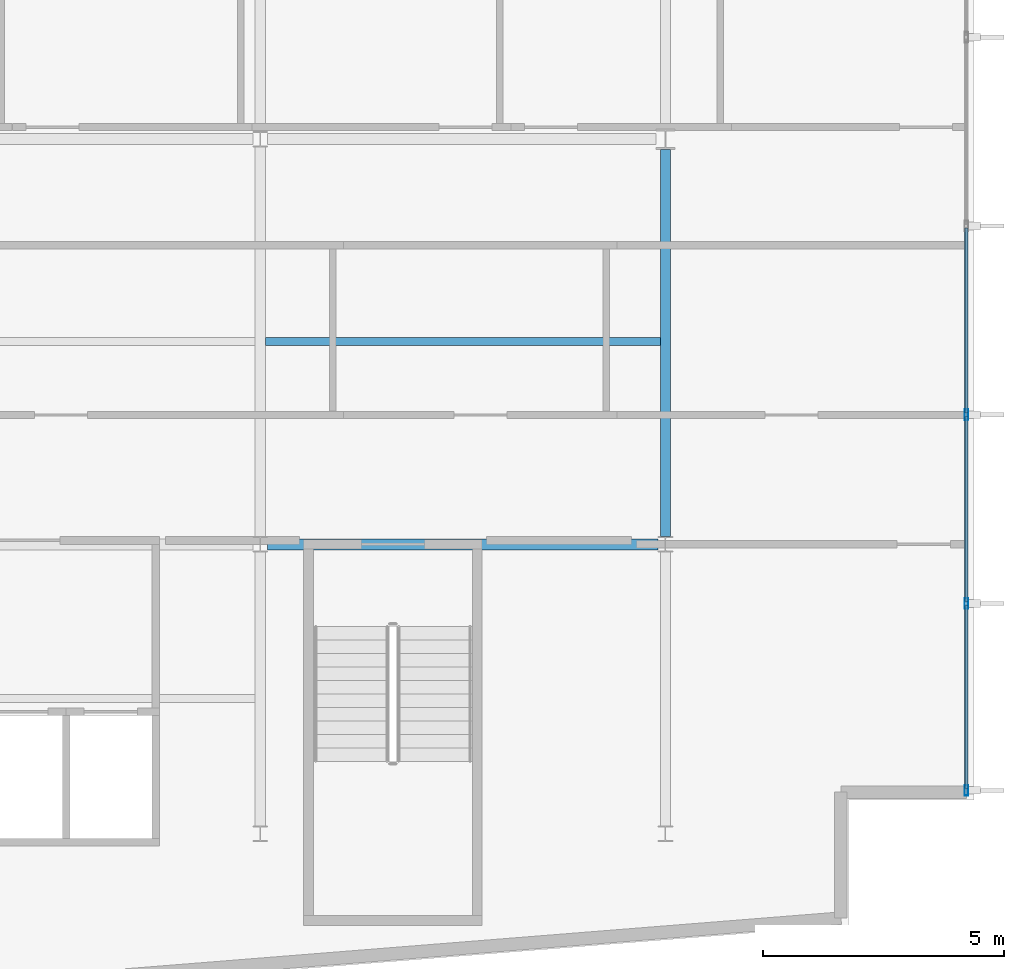
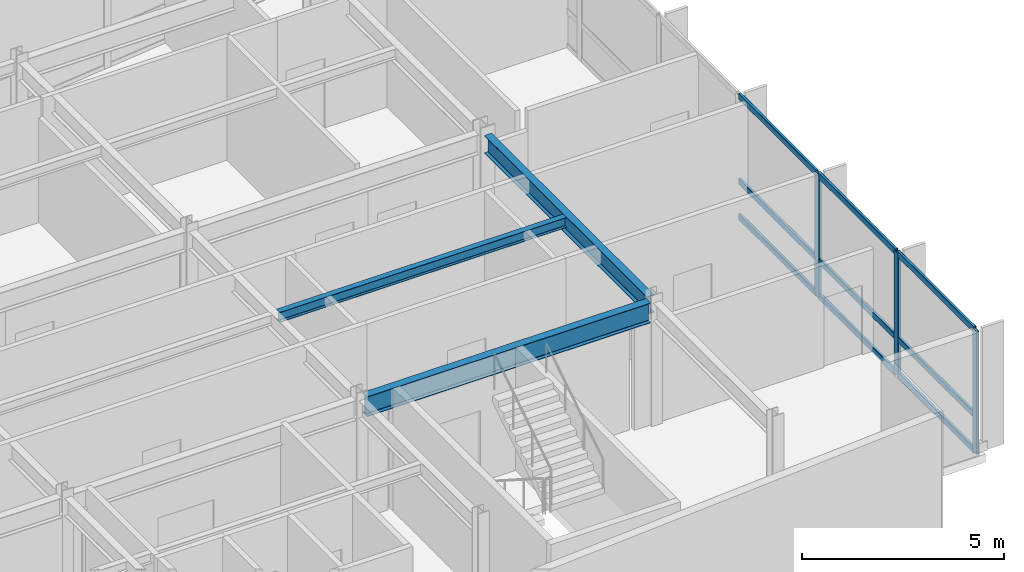
# One storey, part 5 of 17: 12 members, 3 beams, 1 element without a shape of its own.
"""IFC4 building model written with IfcOpenShell, lengths in metres."""

from ifc_helpers import new_model, si_unit, direction, frame, origin, origin_2d, place, context, subcontext, project, spatial, hollow_rectangle, i_section, extrude, material, layer, layer_set, material_profile, profile_set, type_object, element, aggregate, save


model = new_model("IFC4")

# Units and contexts
model_context = context("Model", 3, precision=1e-05, world=origin(), true_north=direction((0.0, 1.0)))
body_context = subcontext(model_context, "Body", "Model", "MODEL_VIEW")
ifc_project = project(units=[si_unit("LENGTHUNIT", "METRE"), si_unit("AREAUNIT", "SQUARE_METRE"), si_unit("VOLUMEUNIT", "CUBIC_METRE"), si_unit("PLANEANGLEUNIT", "RADIAN"), si_unit("MASSUNIT", "GRAM", prefix="KILO")], contexts=[model_context])

# Site, building, storey
site_placement = place(None, origin())
site = spatial("IfcSite", under=ifc_project, at=site_placement, CompositionType="ELEMENT")
building_placement = place(site_placement, origin())
building = spatial("IfcBuilding", under=site, at=building_placement, Name="Varnakote Quay Hospital", CompositionType="ELEMENT")
storey_placement = place(building_placement, frame((0.0, 0.0, 127.050048828125)))
storey = spatial("IfcBuildingStorey", under=building, at=storey_placement, Name="L31", CompositionType="ELEMENT", Elevation=127.050048828125)

# Beams
ifc_material_1 = material(Name="Structural steel AS/NZS 3679.1 Grade 350 L0 (fy 340 MPa)", Category="steel")
ifc_material_profile_1 = material_profile(ifc_material_1, i_section(OverallWidth=0.208984375, OverallDepth=0.532958984375, WebThickness=0.01025390625, FlangeThickness=0.015625, FilletRadius=0.013916015625, at=origin_2d()), Name="530UB92.4")
ifc_profile_set_1 = profile_set([ifc_material_profile_1], Name="Structural steel AS/NZS 3679.1 Grade 350 L0 (fy 340 MPa)")
beam_type_1 = type_object("IfcBeamType", Name="BM-STL-530UB92-4", PredefinedType="BEAM", material=ifc_profile_set_1)
beam_1_placement = place(storey_placement, frame((50.39990234375, 12.160400390625, 3.443359375), z_axis=(0.0, 1.0, 0.0), x_axis=(-1.0, 0.0, 0.0)))
element("IfcBeam", 1, at=beam_1_placement, inside=storey, type_object=beam_type_1, Name="L31 Primary Tie Beam", PredefinedType="BEAM", context=body_context, shape_type="SweptSolid", body=[
    extrude(i_section(OverallWidth=0.208984375, OverallDepth=0.532958984375, WebThickness=0.01025390625, FlangeThickness=0.015625, FilletRadius=0.013916015625, at=origin_2d()), origin(), (0.0, 0.0, 1.0), 8.029541015625),
])
ifc_material_2 = material(Name="Structural steel AS/NZS 3679.1 Grade 350 L0 (fy 340 MPa)", Category="steel")
ifc_material_profile_2 = material_profile(ifc_material_2, i_section(OverallWidth=0.22802734375, OverallDepth=0.60205078125, WebThickness=0.010498046875, FlangeThickness=0.014892578125, FilletRadius=0.013916015625, at=origin_2d()), Name="610UB101")
ifc_profile_set_2 = profile_set([ifc_material_profile_2], Name="Structural steel AS/NZS 3679.1 Grade 350 L0 (fy 340 MPa)")
beam_type_2 = type_object("IfcBeamType", Name="BM-STL-610UB101", PredefinedType="BEAM", material=ifc_profile_set_2)
beam_2_placement = place(storey_placement, frame((42.154541015625, 12.0, 3.408935546875), z_axis=(1.0, 0.0, 0.0), x_axis=(0.0, 1.0, 0.0)))
element("IfcBeam", 2, at=beam_2_placement, inside=storey, type_object=beam_type_2, Name="L31 Primary Floor Beam", PredefinedType="BEAM", context=body_context, shape_type="SweptSolid", body=[
    extrude(i_section(OverallWidth=0.22802734375, OverallDepth=0.60205078125, WebThickness=0.010498046875, FlangeThickness=0.014892578125, FilletRadius=0.013916015625, at=origin_2d()), origin(), (0.0, 0.0, 1.0), 8.091064453125),
])

# Curtain wall, members
ifc_material_3 = material(Name="Anodised aluminium 6063-T6 Bronze", Category="aluminium")
ifc_layer = layer(ifc_material_3, 0.205078125)
ifc_layer_set = layer_set([ifc_layer], Name="Anodised aluminium 6063-T6 Bronze")
curtain_wall_type = type_object("IfcCurtainWallType", Name="CW-SYS-3", PredefinedType="NOTDEFINED", material=ifc_layer_set)
curtain_wall_placement = place(storey_placement, origin())
curtain_wall = element("IfcCurtainWall", 3, at=curtain_wall_placement, inside=storey, type_object=curtain_wall_type, Name="L31 Unitised Bronze Curtain Wall 1", PredefinedType="NOTDEFINED")
ifc_material_4 = material(Name="Anodised aluminium 6063-T6 Bronze", Category="aluminium")
ifc_material_profile_3 = material_profile(ifc_material_4, hollow_rectangle(XDim=0.074951171875, YDim=0.219970703125, WallThickness=0.00439453125, InnerFilletRadius=0.00439453125, OuterFilletRadius=0.009033203125, at=origin_2d()), Name="CW-MULL-220x75")
ifc_profile_set_3 = profile_set([ifc_material_profile_3], Name="Anodised aluminium 6063-T6 Bronze")
member_type_1 = type_object("IfcMemberType", Name="CW-MULL-220x75", PredefinedType="MULLION", material=ifc_profile_set_3)
member_1_placement = place(storey_placement, frame((56.639892578125, 6.8974609375, 0.0), z_axis=(0.0, 0.0, 1.0), x_axis=(-1.0, 0.0, 0.0)))
member_1 = element("IfcMember", 4, at=member_1_placement, type_object=member_type_1, Name="-3-L31-1 mullion 1", PredefinedType="MULLION", context=body_context, shape_type="SweptSolid", body=[
    extrude(hollow_rectangle(XDim=0.074951171875, YDim=0.219970703125, WallThickness=0.00439453125, InnerFilletRadius=0.00439453125, OuterFilletRadius=0.009033203125, at=origin_2d()), origin(), (0.0, 0.0, 1.0), 3.7099609375),
])
member_2_placement = place(storey_placement, frame((56.639892578125, 10.7734375, 0.0), z_axis=(0.0, 0.0, 1.0), x_axis=(-1.0, 0.0, 0.0)))
member_2 = element("IfcMember", 5, at=member_2_placement, type_object=member_type_1, Name="-3-L31-1 mullion 2", PredefinedType="MULLION", context=body_context, shape_type="SweptSolid", body=[
    extrude(hollow_rectangle(XDim=0.074951171875, YDim=0.219970703125, WallThickness=0.00439453125, InnerFilletRadius=0.00439453125, OuterFilletRadius=0.009033203125, at=origin_2d()), origin(), (0.0, 0.0, 1.0), 3.7099609375),
])
member_3_placement = place(storey_placement, frame((56.639892578125, 14.686767578125, 0.0), z_axis=(0.0, 0.0, 1.0), x_axis=(-1.0, 0.0, 0.0)))
member_3 = element("IfcMember", 6, at=member_3_placement, type_object=member_type_1, Name="-3-L31-1 mullion 3", PredefinedType="MULLION", context=body_context, shape_type="SweptSolid", body=[
    extrude(hollow_rectangle(XDim=0.074951171875, YDim=0.219970703125, WallThickness=0.00439453125, InnerFilletRadius=0.00439453125, OuterFilletRadius=0.009033203125, at=origin_2d()), origin(), (0.0, 0.0, 1.0), 3.7099609375),
])
ifc_material_5 = material(Name="Anodised aluminium 6063-T6 Bronze", Category="aluminium")
ifc_material_profile_4 = material_profile(ifc_material_5, hollow_rectangle(XDim=0.074951171875, YDim=0.179931640625, WallThickness=0.004150390625, InnerFilletRadius=0.004150390625, OuterFilletRadius=0.00830078125, at=origin_2d()), Name="CW-TRAN-180x75")
ifc_profile_set_4 = profile_set([ifc_material_profile_4], Name="Anodised aluminium 6063-T6 Bronze")
member_type_2 = type_object("IfcMemberType", Name="CW-TRAN-180x75", PredefinedType="USERDEFINED", material=ifc_profile_set_4)
member_4_placement = place(storey_placement, frame((56.639892578125, 6.93505859375, 0.037353515625), z_axis=(0.0, 1.0, 0.0), x_axis=(-1.0, 0.0, 0.0)))
member_4 = element("IfcMember", 7, at=member_4_placement, type_object=member_type_2, Name="-3-L31-1 transom 1.1", ObjectType="TRANSOM", PredefinedType="USERDEFINED", context=body_context, shape_type="SweptSolid", body=[
    extrude(hollow_rectangle(XDim=0.074951171875, YDim=0.179931640625, WallThickness=0.004150390625, InnerFilletRadius=0.004150390625, OuterFilletRadius=0.00830078125, at=origin_2d()), origin(), (0.0, 0.0, 1.0), 3.80078125),
])
member_5_placement = place(storey_placement, frame((56.639892578125, 6.93505859375, 1.099853515625), z_axis=(0.0, 1.0, 0.0), x_axis=(-1.0, 0.0, 0.0)))
member_5 = element("IfcMember", 8, at=member_5_placement, type_object=member_type_2, Name="-3-L31-1 transom 1.2", ObjectType="TRANSOM", PredefinedType="USERDEFINED", context=body_context, shape_type="SweptSolid", body=[
    extrude(hollow_rectangle(XDim=0.074951171875, YDim=0.179931640625, WallThickness=0.004150390625, InnerFilletRadius=0.004150390625, OuterFilletRadius=0.00830078125, at=origin_2d()), origin(), (0.0, 0.0, 1.0), 3.80078125),
])
member_6_placement = place(storey_placement, frame((56.639892578125, 6.93505859375, 3.67236328125), z_axis=(0.0, 1.0, 0.0), x_axis=(-1.0, 0.0, 0.0)))
member_6 = element("IfcMember", 9, at=member_6_placement, type_object=member_type_2, Name="-3-L31-1 transom 1.3", ObjectType="TRANSOM", PredefinedType="USERDEFINED", context=body_context, shape_type="SweptSolid", body=[
    extrude(hollow_rectangle(XDim=0.074951171875, YDim=0.179931640625, WallThickness=0.004150390625, InnerFilletRadius=0.004150390625, OuterFilletRadius=0.00830078125, at=origin_2d()), origin(), (0.0, 0.0, 1.0), 3.80078125),
])
member_7_placement = place(storey_placement, frame((56.639892578125, 10.810791015625, 0.037353515625), z_axis=(0.0, 1.0, 0.0), x_axis=(-1.0, 0.0, 0.0)))
member_7 = element("IfcMember", 10, at=member_7_placement, type_object=member_type_2, Name="-3-L31-1 transom 2.1", ObjectType="TRANSOM", PredefinedType="USERDEFINED", context=body_context, shape_type="SweptSolid", body=[
    extrude(hollow_rectangle(XDim=0.074951171875, YDim=0.179931640625, WallThickness=0.004150390625, InnerFilletRadius=0.004150390625, OuterFilletRadius=0.00830078125, at=origin_2d()), origin(), (0.0, 0.0, 1.0), 3.83837890625),
])
member_8_placement = place(storey_placement, frame((56.639892578125, 10.810791015625, 1.099853515625), z_axis=(0.0, 1.0, 0.0), x_axis=(-1.0, 0.0, 0.0)))
member_8 = element("IfcMember", 11, at=member_8_placement, type_object=member_type_2, Name="-3-L31-1 transom 2.2", ObjectType="TRANSOM", PredefinedType="USERDEFINED", context=body_context, shape_type="SweptSolid", body=[
    extrude(hollow_rectangle(XDim=0.074951171875, YDim=0.179931640625, WallThickness=0.004150390625, InnerFilletRadius=0.004150390625, OuterFilletRadius=0.00830078125, at=origin_2d()), origin(), (0.0, 0.0, 1.0), 3.83837890625),
])
member_9_placement = place(storey_placement, frame((56.639892578125, 10.810791015625, 3.67236328125), z_axis=(0.0, 1.0, 0.0), x_axis=(-1.0, 0.0, 0.0)))
member_9 = element("IfcMember", 12, at=member_9_placement, type_object=member_type_2, Name="-3-L31-1 transom 2.3", ObjectType="TRANSOM", PredefinedType="USERDEFINED", context=body_context, shape_type="SweptSolid", body=[
    extrude(hollow_rectangle(XDim=0.074951171875, YDim=0.179931640625, WallThickness=0.004150390625, InnerFilletRadius=0.004150390625, OuterFilletRadius=0.00830078125, at=origin_2d()), origin(), (0.0, 0.0, 1.0), 3.83837890625),
])
member_10_placement = place(storey_placement, frame((56.639892578125, 14.72412109375, 0.037353515625), z_axis=(0.0, 1.0, 0.0), x_axis=(-1.0, 0.0, 0.0)))
member_10 = element("IfcMember", 13, at=member_10_placement, type_object=member_type_2, Name="-3-L31-1 transom 3.1", ObjectType="TRANSOM", PredefinedType="USERDEFINED", context=body_context, shape_type="SweptSolid", body=[
    extrude(hollow_rectangle(XDim=0.074951171875, YDim=0.179931640625, WallThickness=0.004150390625, InnerFilletRadius=0.004150390625, OuterFilletRadius=0.00830078125, at=origin_2d()), origin(), (0.0, 0.0, 1.0), 3.83837890625),
])
member_11_placement = place(storey_placement, frame((56.639892578125, 14.72412109375, 1.099853515625), z_axis=(0.0, 1.0, 0.0), x_axis=(-1.0, 0.0, 0.0)))
member_11 = element("IfcMember", 14, at=member_11_placement, type_object=member_type_2, Name="-3-L31-1 transom 3.2", ObjectType="TRANSOM", PredefinedType="USERDEFINED", context=body_context, shape_type="SweptSolid", body=[
    extrude(hollow_rectangle(XDim=0.074951171875, YDim=0.179931640625, WallThickness=0.004150390625, InnerFilletRadius=0.004150390625, OuterFilletRadius=0.00830078125, at=origin_2d()), origin(), (0.0, 0.0, 1.0), 3.83837890625),
])
member_12_placement = place(storey_placement, frame((56.639892578125, 14.72412109375, 3.67236328125), z_axis=(0.0, 1.0, 0.0), x_axis=(-1.0, 0.0, 0.0)))
member_12 = element("IfcMember", 15, at=member_12_placement, type_object=member_type_2, Name="-3-L31-1 transom 3.3", ObjectType="TRANSOM", PredefinedType="USERDEFINED", context=body_context, shape_type="SweptSolid", body=[
    extrude(hollow_rectangle(XDim=0.074951171875, YDim=0.179931640625, WallThickness=0.004150390625, InnerFilletRadius=0.004150390625, OuterFilletRadius=0.00830078125, at=origin_2d()), origin(), (0.0, 0.0, 1.0), 3.83837890625),
])
aggregate(curtain_wall, [member_1, member_2, member_3, member_4, member_5, member_6, member_7, member_8, member_9, member_10, member_11, member_12])

# Beam
ifc_material_6 = material(Name="Structural steel AS/NZS 3679.1 Grade 350 L0 (fy 340 MPa)", Category="steel")
ifc_material_profile_5 = material_profile(ifc_material_6, i_section(OverallWidth=0.166015625, OverallDepth=0.306884765625, WebThickness=0.006591796875, FlangeThickness=0.01171875, FilletRadius=0.011474609375, at=origin_2d()), Name="310UB46.2")
ifc_profile_set_5 = profile_set([ifc_material_profile_5], Name="Structural steel AS/NZS 3679.1 Grade 350 L0 (fy 340 MPa)")
beam_type_3 = type_object("IfcBeamType", Name="JST-STL-310UB46-2", PredefinedType="JOIST", material=ifc_profile_set_5)
beam_3_placement = place(storey_placement, frame((42.1044921875, 16.199951171875, 3.556396484375), z_axis=(1.0, 0.0, 0.0), x_axis=(0.0, 1.0, 0.0)))
element("IfcBeam", 16, at=beam_3_placement, inside=storey, type_object=beam_type_3, Name="L31 Composite Floor Joist", PredefinedType="JOIST", context=body_context, shape_type="SweptSolid", body=[
    extrude(i_section(OverallWidth=0.166015625, OverallDepth=0.306884765625, WebThickness=0.006591796875, FlangeThickness=0.01171875, FilletRadius=0.011474609375, at=origin_2d()), origin(), (0.0, 0.0, 1.0), 8.19091796875),
])

save(model, "model.ifc")
